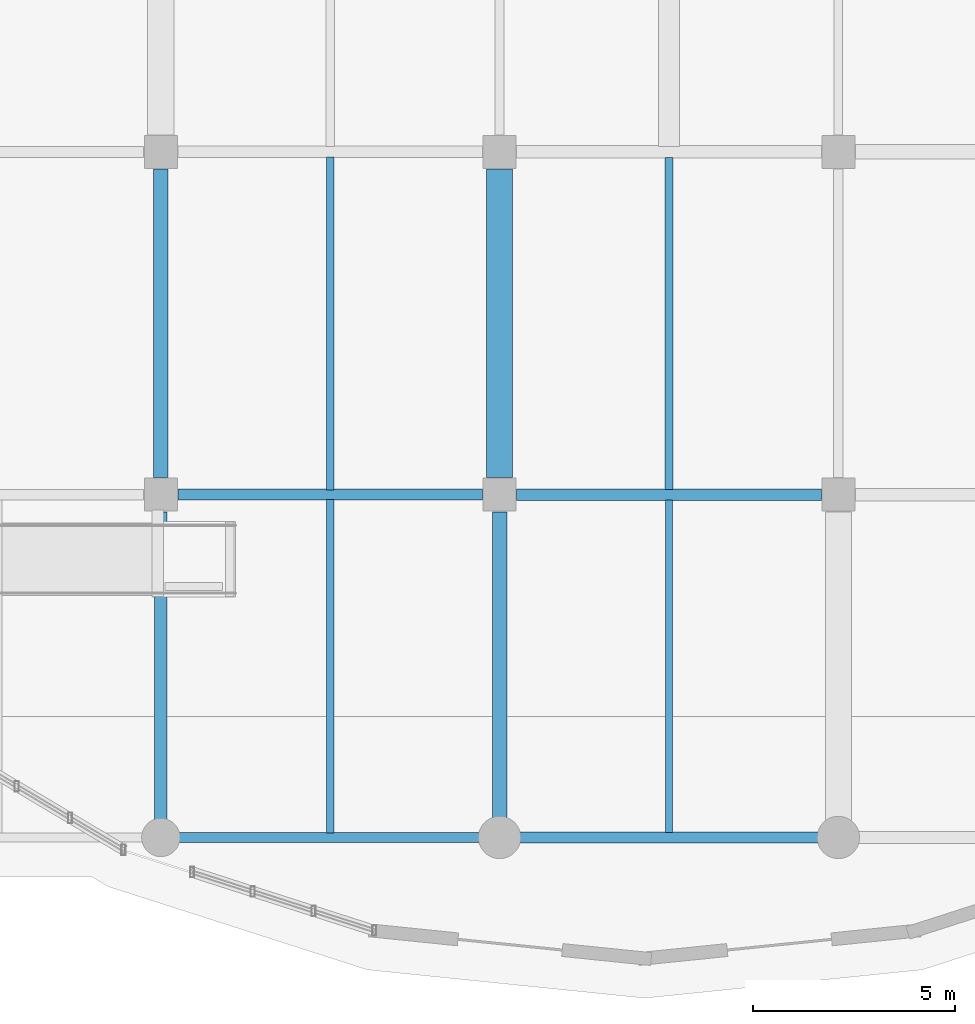
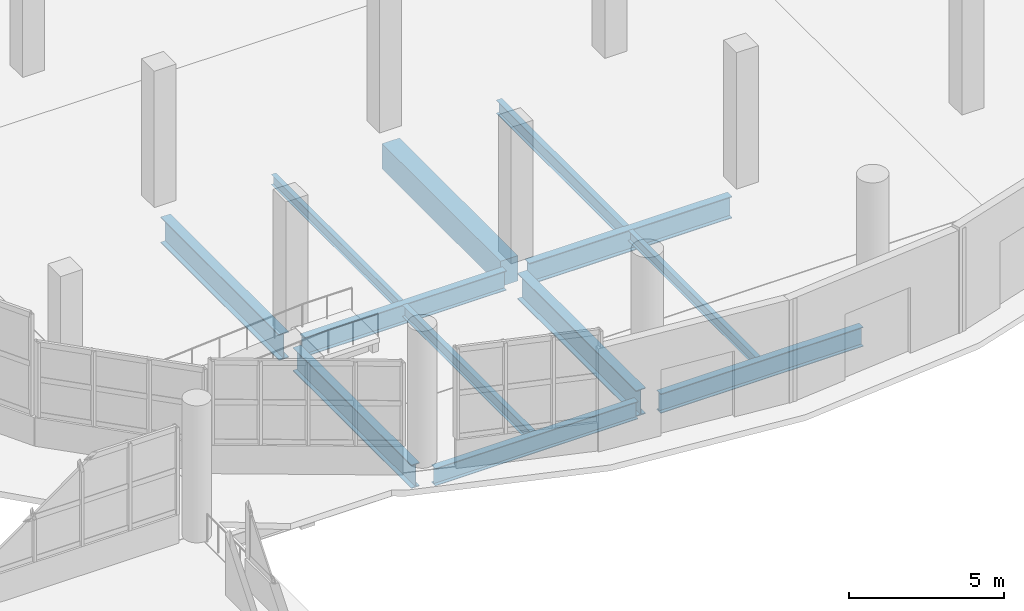
# One storey, part 7 of 107: 12 beams.
"""IFC4 building model written with IfcOpenShell, lengths in metres."""

import ifcopenshell
import ifcopenshell.guid

model = None  # the IFC model being written
_history = None  # IfcOwnerHistory: only IFC2X3 demands one
_inside = {}  # id of a spatial element -> (the spatial element, [elements in it])
_under = {}  # id of a project, library or spatial element -> (it, [spatial elements below it])
_declared = {}  # id of a project -> (the project, [libraries it declares])
_typed = {}  # id of a type object -> (the type object, [elements of that type])
_made_of = {}  # id of a material, layer set ... -> (it, [elements and type objects made of it])


def new_model(schema):
    """Start an empty IFC model of exactly this schema.

    Asked for "IFC4X3", IfcOpenShell would pick the latest addendum, in which some entities
    have other attributes; the version numbers below select the first issue.
    IFC2X3 requires an IfcOwnerHistory on every rooted entity: one is made here for all.
    """
    global model, _history
    if schema == "IFC4X3":
        model = ifcopenshell.file(schema_version=(4, 3, 0, 0))
    else:
        model = ifcopenshell.file(schema=schema)
    _inside.clear()
    _under.clear()
    _declared.clear()
    _typed.clear()
    _made_of.clear()
    _history = None
    if model.schema == "IFC2X3":
        org = make("IfcOrganization", Name="unknown")
        user = make(
            "IfcPersonAndOrganization",
            ThePerson=make("IfcPerson", FamilyName="unknown"),
            TheOrganization=org,
        )
        app = make(
            "IfcApplication",
            ApplicationDeveloper=org,
            Version="unknown",
            ApplicationFullName="unknown",
            ApplicationIdentifier="unknown",
        )
        _history = make(
            "IfcOwnerHistory",
            OwningUser=user,
            OwningApplication=app,
            ChangeAction="ADDED",
            CreationDate=0,
        )
    return model


def make(cls, **values):
    """One entity of the class cls with the attributes given. An attribute that is None is left unset."""
    return model.create_entity(
        cls, **{name: value for name, value in values.items() if value is not None}
    )


def rooted(cls, **values):
    """An entity with a GlobalId (a new one), such as an element, a storey or a relation."""
    return make(cls, GlobalId=ifcopenshell.guid.new(), OwnerHistory=_history, **values)


def si_unit(unit_type, name, prefix=None):
    """IfcSIUnit, for example si_unit("LENGTHUNIT", "METRE", prefix="MILLI")."""
    return make("IfcSIUnit", UnitType=unit_type, Prefix=prefix, Name=name)


def assignment(units):
    """IfcUnitAssignment: the units of a project."""
    return None if units is None else make("IfcUnitAssignment", Units=units)


def point(xyz):
    """IfcCartesianPoint."""
    return None if xyz is None else make("IfcCartesianPoint", Coordinates=xyz)


def direction(xyz):
    """IfcDirection."""
    return None if xyz is None else make("IfcDirection", DirectionRatios=xyz)


def frame(location, z_axis=None, x_axis=None):
    """IfcAxis2Placement3D, a coordinate frame: its origin and axes. An axis left out is left unset."""
    return make(
        "IfcAxis2Placement3D",
        Location=point(location),
        Axis=direction(z_axis),
        RefDirection=direction(x_axis),
    )


def frame_2d(location, x_axis=None):
    """IfcAxis2Placement2D, a coordinate frame in the plane: its origin and x axis."""
    return make(
        "IfcAxis2Placement2D", Location=point(location), RefDirection=direction(x_axis)
    )


def origin():
    """The frame at (0, 0, 0) with its axes left unset."""
    return frame((0.0, 0.0, 0.0))


def origin_2d():
    """The frame at (0, 0) in the plane with its x axis left unset."""
    return frame_2d((0.0, 0.0))


def place(relative_to, where):
    """IfcLocalPlacement: puts the frame where relative to a parent placement (None: the world)."""
    return make(
        "IfcLocalPlacement", PlacementRelTo=relative_to, RelativePlacement=where
    )


def context(
    kind, dimensions, precision=None, world=None, true_north=None, identifier=None
):
    """IfcGeometricRepresentationContext, for example the 3D "Model" context."""
    return make(
        "IfcGeometricRepresentationContext",
        ContextIdentifier=identifier,
        ContextType=kind,
        CoordinateSpaceDimension=dimensions,
        Precision=precision,
        WorldCoordinateSystem=world,
        TrueNorth=true_north,
    )


def subcontext(parent, identifier, kind, view, scale=None):
    """IfcGeometricRepresentationSubContext, for example "Body" below "Model"."""
    return make(
        "IfcGeometricRepresentationSubContext",
        ContextIdentifier=identifier,
        ContextType=kind,
        ParentContext=parent,
        TargetScale=scale,
        TargetView=view,
    )


def project(units=None, contexts=None):
    """IfcProject with its units and contexts."""
    return rooted(
        "IfcProject",
        Name="project",
        RepresentationContexts=contexts,
        UnitsInContext=assignment(units),
    )


def spatial(cls, under=None, at=None, **own):
    """A site, building, storey or space (cls), placed at a placement, below another one or the project."""
    s = rooted(cls, ObjectPlacement=at, **own)
    if under is not None:
        _under.setdefault(under.id(), (under, []))[1].append(s)
    return s


def profile(cls, at=None, kind="AREA", **sizes):
    """A parametric profile (cls). Its sizes go by their IFC names, for example OverallWidth=200.0."""
    return make(cls, ProfileType=kind, Position=at, **sizes)


def rectangle(**sizes):
    """IfcRectangleProfileDef."""
    return profile("IfcRectangleProfileDef", **sizes)


def i_section(**sizes):
    """IfcIShapeProfileDef."""
    return profile("IfcIShapeProfileDef", **sizes)


def extrude(swept, where, along, depth):
    """IfcExtrudedAreaSolid: the profile swept, set in the frame where, extruded along a direction by depth."""
    return make(
        "IfcExtrudedAreaSolid",
        SweptArea=swept,
        Position=where,
        ExtrudedDirection=direction(along),
        Depth=depth,
    )


def shape(context_of_items, identifier, shape_type, items):
    """IfcShapeRepresentation: the items that make up one representation, for example the "Body"."""
    return make(
        "IfcShapeRepresentation",
        ContextOfItems=context_of_items,
        RepresentationIdentifier=identifier,
        RepresentationType=shape_type,
        Items=items,
    )


def material(Name=None, Category=None):
    """IfcMaterial."""
    return make("IfcMaterial", Name=Name, Category=Category)


def material_profile(
    of_material, cross_section, Name=None, Category=None, Priority=None
):
    """IfcMaterialProfile: a cross section and its material."""
    return make(
        "IfcMaterialProfile",
        Name=Name,
        Material=of_material,
        Profile=cross_section,
        Priority=Priority,
        Category=Category,
    )


def profile_set(profiles, Name=None, composite=None):
    """IfcMaterialProfileSet."""
    return make(
        "IfcMaterialProfileSet",
        Name=Name,
        MaterialProfiles=profiles,
        CompositeProfile=composite,
    )


def made_of(thing, what):
    """Note that an element or type object is made of a material, layer set ...; save() writes the relation."""
    if what is not None:
        _made_of.setdefault(what.id(), (what, []))[1].append(thing)
    return thing


def type_object(cls, material=None, **own):
    """A type object (cls), such as IfcWallType, which elements share."""
    return made_of(rooted(cls, **own), material)


def element(
    cls,
    number,
    at=None,
    inside=None,
    cuts=None,
    type_object=None,
    material=None,
    context=None,
    identifier="Body",
    shape_type=None,
    held_by="IfcProductDefinitionShape",
    body=None,
    shapes=None,
    **own,
):
    """One element of the class cls, such as IfcWall. Its Tag is "e" and its number.

    at: its placement. inside: the storey or other place that contains it. cuts: it is an
    opening in that element (IfcRelVoidsElement). A single representation is given by context,
    identifier, shape_type and body (its items); several are given by shapes. held_by: the class
    of the entity that holds the representations. save() writes the other relations.
    """
    e = rooted(cls, Tag="e%d" % number, ObjectPlacement=at, **own)
    if body is not None:
        shapes = [shape(context, identifier, shape_type, body)]
    if shapes is not None:
        e.Representation = make(held_by, Representations=shapes)
    if inside is not None:
        _inside.setdefault(inside.id(), (inside, []))[1].append(e)
    if cuts is not None:
        rooted(
            "IfcRelVoidsElement", RelatingBuildingElement=cuts, RelatedOpeningElement=e
        )
    if type_object is not None:
        _typed.setdefault(type_object.id(), (type_object, []))[1].append(e)
    return made_of(e, material)


def aggregate(whole, parts):
    """IfcRelAggregates: a whole, such as a stair, and the parts it consists of."""
    return rooted("IfcRelAggregates", RelatingObject=whole, RelatedObjects=parts)


def save(model, path):
    """Write the relations noted so far, then the file.

    IfcRelAggregates (storeys below a building ...), IfcRelContainedInSpatialStructure (elements
    in a storey), IfcRelDefinesByType, IfcRelAssociatesMaterial and IfcRelDeclares: one each for
    every whole, place, type object, material and project.
    """
    for whole, parts in _under.values():
        aggregate(whole, parts)
    for where, things in _inside.values():
        rooted(
            "IfcRelContainedInSpatialStructure",
            RelatedElements=things,
            RelatingStructure=where,
        )
    for kind, things in _typed.values():
        rooted("IfcRelDefinesByType", RelatedObjects=things, RelatingType=kind)
    for what, things in _made_of.values():
        rooted("IfcRelAssociatesMaterial", RelatedObjects=things, RelatingMaterial=what)
    for by, libraries in _declared.values():
        rooted("IfcRelDeclares", RelatingContext=by, RelatedDefinitions=libraries)
    model.write(path)


model = new_model("IFC4")

# Units and contexts
model_context = context("Model", 3, precision=1e-05, world=origin(), true_north=direction((0.0, 1.0)))
body_context = subcontext(model_context, "Body", "Model", "MODEL_VIEW")
ifc_project = project(units=[si_unit("LENGTHUNIT", "METRE"), si_unit("AREAUNIT", "SQUARE_METRE"), si_unit("VOLUMEUNIT", "CUBIC_METRE"), si_unit("PLANEANGLEUNIT", "RADIAN"), si_unit("MASSUNIT", "GRAM", prefix="KILO")], contexts=[model_context])

# Site, building, storey
site_placement = place(None, origin())
site = spatial("IfcSite", under=ifc_project, at=site_placement, CompositionType="ELEMENT")
building_placement = place(site_placement, origin())
building = spatial("IfcBuilding", under=site, at=building_placement, Name="Solvento Point Concert Hall", CompositionType="ELEMENT")
storey_placement = place(building_placement, origin())
storey = spatial("IfcBuildingStorey", under=building, at=storey_placement, Name="L00", CompositionType="ELEMENT", Elevation=0.0)

# Beams
ifc_material_1 = material(Name="Structural Steel ASTM A992 Grade 50", Category="steel")
ifc_material_profile_1 = material_profile(ifc_material_1, i_section(OverallWidth=0.20947265625, OverallDepth=0.532958984375, WebThickness=0.01025390625, FlangeThickness=0.015625, at=origin_2d()), Name="W21X62")
ifc_profile_set_1 = profile_set([ifc_material_profile_1], Name="Structural Steel ASTM A992 Grade 50")
beam_type_1 = type_object("IfcBeamType", Name="Beam_W21X62", PredefinedType="BEAM", material=ifc_profile_set_1)
beam_1_placement = place(storey_placement, frame((61.800048828125, 25.631103515625, -0.680419921875), z_axis=(0.0, 1.0, 0.0), x_axis=(-1.0, 0.0, 0.0)))
element("IfcBeam", 1, at=beam_1_placement, inside=storey, type_object=beam_type_1, Name="Secondary floor joist B-25 L00", PredefinedType="BEAM", context=body_context, shape_type="SweptSolid", body=[
    extrude(i_section(OverallWidth=0.20947265625, OverallDepth=0.532958984375, WebThickness=0.01025390625, FlangeThickness=0.015625, at=origin_2d()), origin(), (0.0, 0.0, 1.0), 8.22998046875),
])
ifc_material_2 = material(Name="Concrete C35/45", Category="concrete")
ifc_material_profile_2 = material_profile(ifc_material_2, rectangle(XDim=0.64990234375, YDim=1.0, at=origin_2d()), Name="RC-BM-650X1000")
ifc_profile_set_2 = profile_set([ifc_material_profile_2], Name="Concrete C35/45")
beam_type_2 = type_object("IfcBeamType", Name="Girder_RC_650x1000", PredefinedType="USERDEFINED", material=ifc_profile_set_2)
beam_2_placement = place(storey_placement, frame((57.60009765625, 25.924072265625, -0.9140625), z_axis=(0.0, 1.0, 0.0), x_axis=(-1.0, 0.0, 0.0)))
element("IfcBeam", 2, at=beam_2_placement, inside=storey, type_object=beam_type_2, Name="Primary girder B-67 L00", ObjectType="GIRDER", PredefinedType="USERDEFINED", context=body_context, shape_type="SweptSolid", body=[
    extrude(rectangle(XDim=0.64990234375, YDim=1.0, at=origin_2d()), origin(), (0.0, 0.0, 1.0), 7.65185546875),
])
ifc_material_3 = material(Name="Structural Steel ASTM A992 Grade 50", Category="steel")
ifc_material_profile_3 = material_profile(ifc_material_3, i_section(OverallWidth=0.256103515625, OverallDepth=0.693115234375, WebThickness=0.014404296875, FlangeThickness=0.023681640625, at=origin_2d()), Name="W27X114")
ifc_profile_set_3 = profile_set([ifc_material_profile_3], Name="Structural Steel ASTM A992 Grade 50")
beam_type_3 = type_object("IfcBeamType", Name="Girder_W27X114", PredefinedType="USERDEFINED", material=ifc_profile_set_3)
beam_3_placement = place(storey_placement, frame((49.6240234375, 17.0, -0.760498046875), z_axis=(1.0, 0.0, 0.0), x_axis=(0.0, 1.0, 0.0)))
element("IfcBeam", 3, at=beam_3_placement, inside=storey, type_object=beam_type_3, Name="Primary girder B-23 L00", ObjectType="GIRDER", PredefinedType="USERDEFINED", context=body_context, shape_type="SweptSolid", body=[
    extrude(i_section(OverallWidth=0.256103515625, OverallDepth=0.693115234375, WebThickness=0.014404296875, FlangeThickness=0.023681640625, at=origin_2d()), origin(), (0.0, 0.0, 1.0), 7.552001953125),
])
ifc_material_4 = material(Name="Structural Steel ASTM A992 Grade 50", Category="steel")
ifc_material_profile_4 = material_profile(ifc_material_4, i_section(OverallWidth=0.26806640625, OverallDepth=0.77001953125, WebThickness=0.015625, FlangeThickness=0.025390625, at=origin_2d()), Name="W30X132")
ifc_profile_set_4 = profile_set([ifc_material_profile_4], Name="Structural Steel ASTM A992 Grade 50")
beam_type_4 = type_object("IfcBeamType", Name="Girder_W30X132", PredefinedType="USERDEFINED", material=ifc_profile_set_4)
for number, where, z_axis, x_axis, name in (
    (4, (58.02392578125, 17.0, -0.799072265625), (1.0, 0.0, 0.0), (0.0, 1.0, 0.0), "Primary girder B-68 L00"),
    (5, (49.6240234375, 25.5, -0.799072265625), (1.0, 0.0, 0.0), (0.0, 1.0, 0.0), "Primary girder B-68 L00"),
):
    element("IfcBeam", number, at=place(storey_placement, frame(where, z_axis=z_axis, x_axis=x_axis)), inside=storey, type_object=beam_type_4, Name=name, ObjectType="GIRDER", PredefinedType="USERDEFINED", context=body_context, shape_type="SweptSolid", body=[
        extrude(i_section(OverallWidth=0.26806640625, OverallDepth=0.77001953125, WebThickness=0.015625, FlangeThickness=0.025390625, at=origin_2d()), origin(), (0.0, 0.0, 1.0), 7.552001953125),
    ])
ifc_material_5 = material(Name="Structural Steel ASTM A992 Grade 50", Category="steel")
ifc_material_profile_5 = material_profile(ifc_material_5, i_section(OverallWidth=0.2919921875, OverallDepth=0.85888671875, WebThickness=0.01708984375, FlangeThickness=0.031005859375, at=origin_2d()), Name="W33X169")
ifc_profile_set_5 = profile_set([ifc_material_profile_5], Name="Structural Steel ASTM A992 Grade 50")
beam_type_5 = type_object("IfcBeamType", Name="Girder_W33X169", PredefinedType="USERDEFINED", material=ifc_profile_set_5)
beam_4_placement = place(storey_placement, frame((58.02392578125, 25.5, -0.843505859375), z_axis=(1.0, 0.0, 0.0), x_axis=(0.0, 1.0, 0.0)))
element("IfcBeam", 6, at=beam_4_placement, inside=storey, type_object=beam_type_5, Name="Primary girder B-33 L00", ObjectType="GIRDER", PredefinedType="USERDEFINED", context=body_context, shape_type="SweptSolid", body=[
    extrude(i_section(OverallWidth=0.2919921875, OverallDepth=0.85888671875, WebThickness=0.01708984375, FlangeThickness=0.031005859375, at=origin_2d()), origin(), (0.0, 0.0, 1.0), 7.552001953125),
])
ifc_material_6 = material(Name="Structural Steel ASTM A992 Grade 50", Category="steel")
ifc_material_profile_6 = material_profile(ifc_material_6, i_section(OverallWidth=0.3076171875, OverallDepth=0.927001953125, WebThickness=0.019287109375, FlangeThickness=0.031982421875, at=origin_2d()), Name="W36X194")
ifc_profile_set_6 = profile_set([ifc_material_profile_6], Name="Structural Steel ASTM A992 Grade 50")
beam_type_6 = type_object("IfcBeamType", Name="Girder_W36X194", PredefinedType="USERDEFINED", material=ifc_profile_set_6)
beam_5_placement = place(storey_placement, frame((49.199951171875, 17.424072265625, -0.87744140625), z_axis=(0.0, 1.0, 0.0), x_axis=(-1.0, 0.0, 0.0)))
element("IfcBeam", 7, at=beam_5_placement, inside=storey, type_object=beam_type_6, Name="Primary girder B-61 L00", ObjectType="GIRDER", PredefinedType="USERDEFINED", context=body_context, shape_type="SweptSolid", body=[
    extrude(i_section(OverallWidth=0.3076171875, OverallDepth=0.927001953125, WebThickness=0.019287109375, FlangeThickness=0.031982421875, at=origin_2d()), origin(), (0.0, 0.0, 1.0), 7.65185546875),
])
ifc_material_7 = material(Name="Structural Steel ASTM A992 Grade 50", Category="steel")
ifc_material_profile_7 = material_profile(ifc_material_7, i_section(OverallWidth=0.361083984375, OverallDepth=1.02587890625, WebThickness=0.01904296875, FlangeThickness=0.0361328125, at=origin_2d()), Name="W40X249")
ifc_profile_set_7 = profile_set([ifc_material_profile_7], Name="Structural Steel ASTM A992 Grade 50")
beam_type_7 = type_object("IfcBeamType", Name="Girder_W40X249", PredefinedType="USERDEFINED", material=ifc_profile_set_7)
for number, where, z_axis, x_axis, name in (
    (8, (49.199951171875, 25.924072265625, -0.927001953125), (0.0, 1.0, 0.0), (-1.0, 0.0, 0.0), "Primary girder B-29 L00"),
    (9, (57.60009765625, 17.424072265625, -0.927001953125), (0.0, 1.0, 0.0), (-1.0, 0.0, 0.0), "Primary girder B-29 L00"),
):
    element("IfcBeam", number, at=place(storey_placement, frame(where, z_axis=z_axis, x_axis=x_axis)), inside=storey, type_object=beam_type_7, Name=name, ObjectType="GIRDER", PredefinedType="USERDEFINED", context=body_context, shape_type="SweptSolid", body=[
        extrude(i_section(OverallWidth=0.361083984375, OverallDepth=1.02587890625, WebThickness=0.01904296875, FlangeThickness=0.0361328125, at=origin_2d()), origin(), (0.0, 0.0, 1.0), 7.65185546875),
    ])
ifc_material_8 = material(Name="Structural Steel ASTM A992 Grade 50", Category="steel")
ifc_material_profile_8 = material_profile(ifc_material_8, i_section(OverallWidth=0.177490234375, OverallDepth=0.403076171875, WebThickness=0.007568359375, FlangeThickness=0.010986328125, at=origin_2d()), Name="W16X36")
ifc_profile_set_8 = profile_set([ifc_material_profile_8], Name="Structural Steel ASTM A992 Grade 50")
beam_type_8 = type_object("IfcBeamType", Name="Joist_W16X36", PredefinedType="JOIST", material=ifc_profile_set_8)
for number, where, z_axis, x_axis, name in (
    (10, (53.39990234375, 25.618896484375, -0.615478515625), (0.0, 1.0, 0.0), (-1.0, 0.0, 0.0), "Secondary floor joist B-30 L00"),
    (11, (61.800048828125, 17.118896484375, -0.615478515625), (0.0, 1.0, 0.0), (-1.0, 0.0, 0.0), "Secondary floor joist B-30 L00"),
):
    element("IfcBeam", number, at=place(storey_placement, frame(where, z_axis=z_axis, x_axis=x_axis)), inside=storey, type_object=beam_type_8, Name=name, PredefinedType="JOIST", context=body_context, shape_type="SweptSolid", body=[
        extrude(i_section(OverallWidth=0.177490234375, OverallDepth=0.403076171875, WebThickness=0.007568359375, FlangeThickness=0.010986328125, at=origin_2d()), origin(), (0.0, 0.0, 1.0), 8.25),
    ])
ifc_material_9 = material(Name="Structural Steel ASTM A992 Grade 50", Category="steel")
ifc_material_profile_9 = material_profile(ifc_material_9, i_section(OverallWidth=0.1904296875, OverallDepth=0.45703125, WebThickness=0.009033203125, FlangeThickness=0.014404296875, at=origin_2d()), Name="W18X50")
ifc_profile_set_9 = profile_set([ifc_material_profile_9], Name="Structural Steel ASTM A992 Grade 50")
beam_type_9 = type_object("IfcBeamType", Name="Joist_W18X50", PredefinedType="JOIST", material=ifc_profile_set_9)
beam_6_placement = place(storey_placement, frame((53.39990234375, 17.113037109375, -0.642578125), z_axis=(0.0, 1.0, 0.0), x_axis=(-1.0, 0.0, 0.0)))
element("IfcBeam", 12, at=beam_6_placement, inside=storey, type_object=beam_type_9, Name="Secondary floor joist B-66 L00", PredefinedType="JOIST", context=body_context, shape_type="SweptSolid", body=[
    extrude(i_section(OverallWidth=0.1904296875, OverallDepth=0.45703125, WebThickness=0.009033203125, FlangeThickness=0.014404296875, at=origin_2d()), origin(), (0.0, 0.0, 1.0), 8.26806640625),
])

save(model, "model.ifc")
